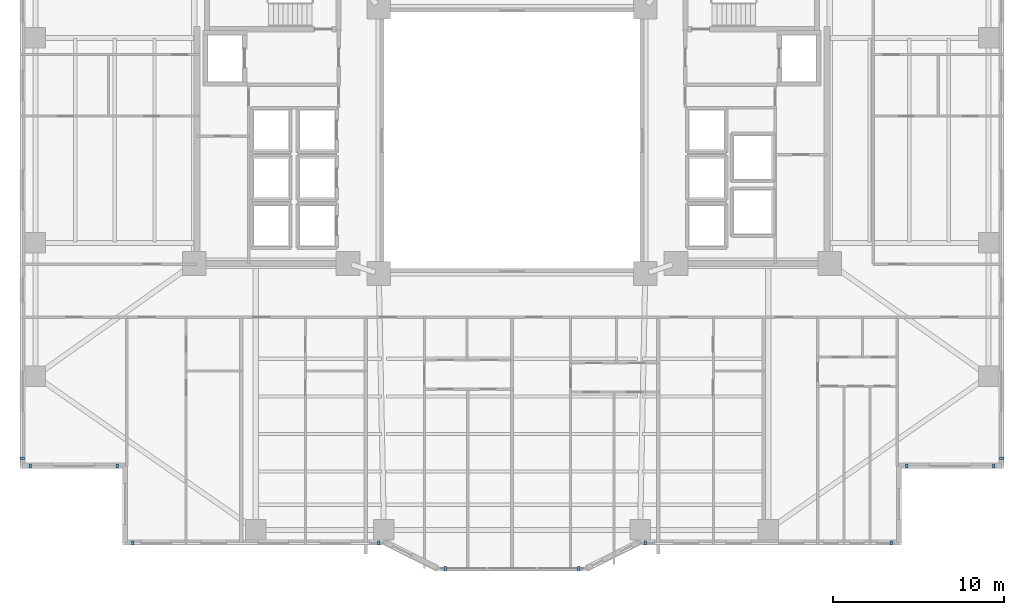
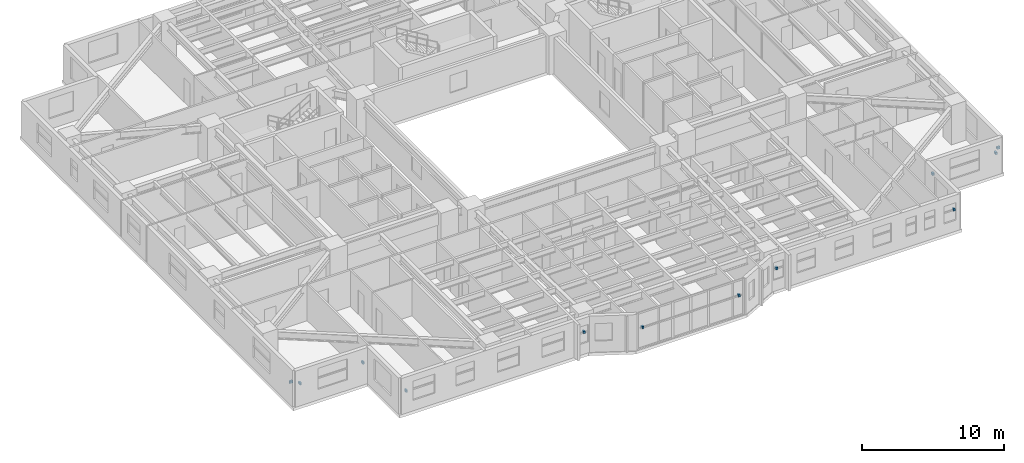
# One storey, part 17 of 21: 12 discrete accessories.
"""IFC4 building model written with IfcOpenShell, lengths in metres."""

from ifc_helpers import new_model, si_unit, direction, frame, origin, origin_2d, place, context, subcontext, project, spatial, rectangle, extrude, material, type_object, element, save


model = new_model("IFC4")

# Units and contexts
model_context = context("Model", 3, precision=1e-05, world=origin(), true_north=direction((0.0, 1.0)))
body_context = subcontext(model_context, "Body", "Model", "MODEL_VIEW")
ifc_project = project(units=[si_unit("LENGTHUNIT", "METRE"), si_unit("AREAUNIT", "SQUARE_METRE"), si_unit("VOLUMEUNIT", "CUBIC_METRE"), si_unit("PLANEANGLEUNIT", "RADIAN"), si_unit("MASSUNIT", "GRAM", prefix="KILO")], contexts=[model_context])

# Site, building, storey
site_placement = place(None, origin())
site = spatial("IfcSite", under=ifc_project, at=site_placement, CompositionType="ELEMENT")
building_placement = place(site_placement, origin())
building = spatial("IfcBuilding", under=site, at=building_placement, Name="Tarnavaz Court Tower", CompositionType="ELEMENT")
storey_placement = place(building_placement, frame((0.0, 0.0, 24.0)))
storey = spatial("IfcBuildingStorey", under=building, at=storey_placement, Name="L05", CompositionType="ELEMENT", Elevation=24.0)

# Discrete accessories
ifc_material = material(Name="Anodised Aluminium 6063-T6", Category="aluminium")
discrete_accessory_type = type_object("IfcDiscreteAccessoryType", Name="DA-BRKT-ALU", PredefinedType="BRACKET", material=ifc_material)
for number, where, z_axis, x_axis, name in (
    (1, (-23.10009765625, -19.070068359375, 1.75), (0.0, 0.0, 1.0), (-1.0, 0.0, 0.0), "L05 Baguette Outrigger Bracket FBG01-1"),
    (2, (-28.199951171875, -19.070068359375, 1.75), (0.0, 0.0, 1.0), (-1.0, 0.0, 0.0), "L05 Baguette Outrigger Bracket FBG01-2"),
    (3, (-28.669921875, -18.60009765625, 1.75), (0.0, 0.0, 1.0), (0.0, 1.0, 0.0), "L05 Baguette Outrigger Bracket FBG02-1"),
    (4, (28.669921875, -18.60009765625, 1.75), (0.0, 0.0, 1.0), (0.0, -1.0, 0.0), "L05 Baguette Outrigger Bracket FBG12-2"),
    (5, (28.199951171875, -19.070068359375, 1.75), (0.0, 0.0, 1.0), (-1.0, 0.0, 0.0), "L05 Baguette Outrigger Bracket FBG13-1"),
    (6, (23.10009765625, -19.070068359375, 1.75), (0.0, 0.0, 1.0), (-1.0, 0.0, 0.0), "L05 Baguette Outrigger Bracket FBG13-2"),
    (7, (22.199951171875, -23.570068359375, 1.75), (0.0, 0.0, 1.0), (-1.0, 0.0, 0.0), "L05 Baguette Outrigger Bracket FBG15-1"),
    (8, (7.800048828125, -23.570068359375, 1.75), (0.0, 0.0, 1.0), (-1.0, 0.0, 0.0), "L05 Baguette Outrigger Bracket FBG15-2"),
    (9, (3.89990234375, -25.070068359375, 1.7001953125), (0.0, 0.0, 1.0), (-1.0, 0.0, 0.0), "L05 Baguette Outrigger Bracket PBG17-1"),
    (10, (-3.89990234375, -25.070068359375, 1.7001953125), (0.0, 0.0, 1.0), (-1.0, 0.0, 0.0), "L05 Baguette Outrigger Bracket PBG17-2"),
    (11, (-7.800048828125, -23.570068359375, 1.75), (0.0, 0.0, 1.0), (-1.0, 0.0, 0.0), "L05 Baguette Outrigger Bracket FBG19-1"),
    (12, (-22.199951171875, -23.570068359375, 1.75), (0.0, 0.0, 1.0), (-1.0, 0.0, 0.0), "L05 Baguette Outrigger Bracket FBG19-2"),
):
    element("IfcDiscreteAccessory", number, at=place(storey_placement, frame(where, z_axis=z_axis, x_axis=x_axis)), inside=storey, type_object=discrete_accessory_type, Name=name, PredefinedType="BRACKET", context=body_context, shape_type="SweptSolid", body=[
        extrude(rectangle(XDim=0.139892578125, YDim=0.239990234375, at=origin_2d()), origin(), (0.0, 0.0, 1.0), 0.199951171875),
    ])

save(model, "model.ifc")
